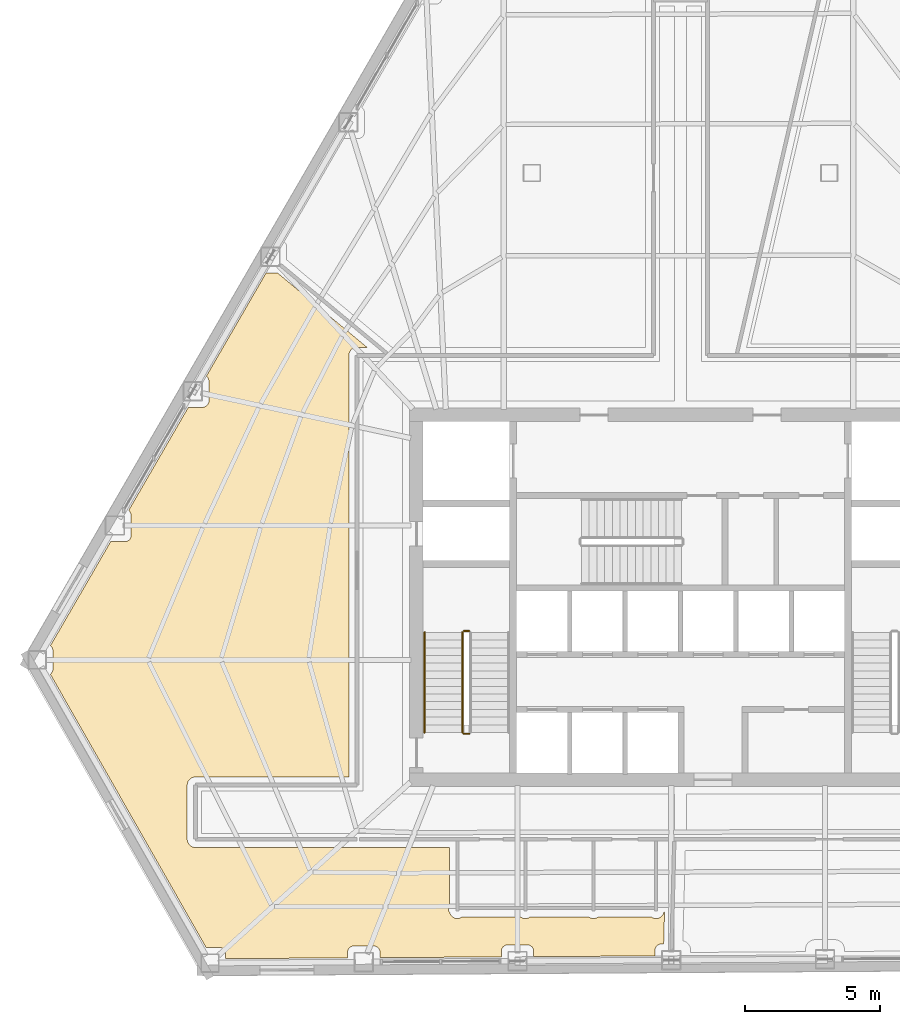
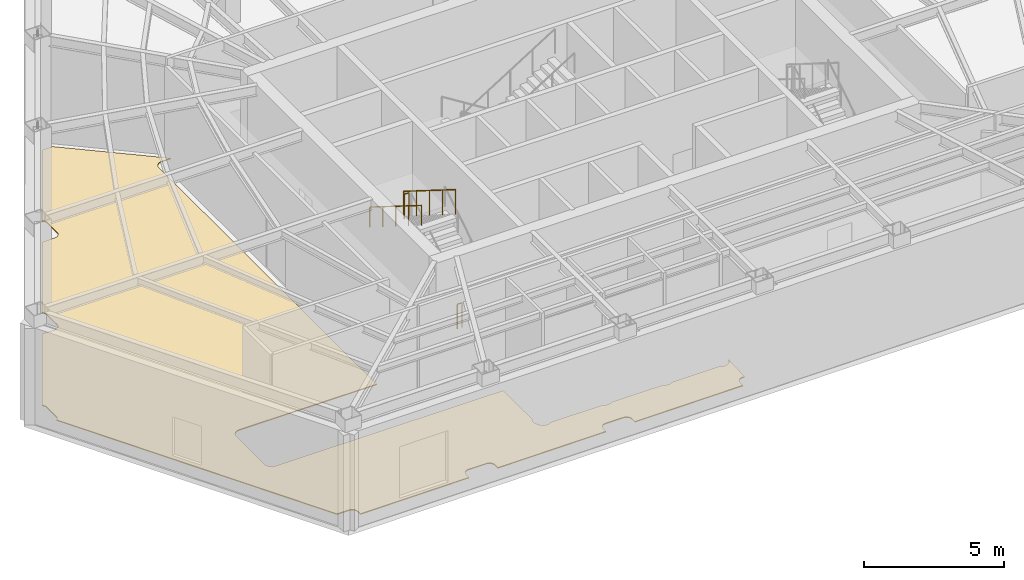
# One storey, part 12 of 14: 4 railings, 1 covering.
"""IFC4 building model written with IfcOpenShell, lengths in metres."""

from ifc_helpers import new_model, si_unit, direction, frame, origin, origin_2d, place, context, subcontext, project, spatial, polyline, circle, outline, extrude, material, layer, layer_set, type_object, element, save


model = new_model("IFC4")

# Units and contexts
model_context = context("Model", 3, precision=1e-05, world=origin(), true_north=direction((0.0, 1.0)))
body_context = subcontext(model_context, "Body", "Model", "MODEL_VIEW")
ifc_project = project(units=[si_unit("LENGTHUNIT", "METRE"), si_unit("AREAUNIT", "SQUARE_METRE"), si_unit("VOLUMEUNIT", "CUBIC_METRE"), si_unit("PLANEANGLEUNIT", "RADIAN"), si_unit("MASSUNIT", "GRAM", prefix="KILO")], contexts=[model_context])

# Site, building, storey
site_placement = place(None, origin())
site = spatial("IfcSite", under=ifc_project, at=site_placement, CompositionType="ELEMENT")
building_placement = place(site_placement, origin())
building = spatial("IfcBuilding", under=site, at=building_placement, Name="Kavelnor Concourse Tower", CompositionType="ELEMENT")
storey_placement = place(building_placement, frame((0.0, 0.0, 80.5)))
storey = spatial("IfcBuildingStorey", under=building, at=storey_placement, Name="L20", CompositionType="ELEMENT", Elevation=80.5)

# Covering
ifc_material_1 = material(Name="Honed bluestone and raised access floor finish", Category="masonry")
ifc_layer = layer(ifc_material_1, 0.0400390625, Name="Honed bluestone and raised access floor finish")
ifc_layer_set = layer_set([ifc_layer], Name="Honed bluestone and raised access floor finish")
covering_type = type_object("IfcCoveringType", Name="COV-FLOOR-STONE", PredefinedType="FLOORING", material=ifc_layer_set)
covering_placement = place(storey_placement, frame((0.0, 0.0, 0.001953125)))
element("IfcCovering", 1, at=covering_placement, inside=storey, type_object=covering_type, Name="L20 Honed Bluestone Floor Finish", PredefinedType="FLOORING", context=body_context, shape_type="SweptSolid", body=[
    extrude(outline(polyline([(14.68798828125, 13.26025390625), (14.70556640625, 13.276123046875), (14.72119140625, 13.293701171875), (14.7353515625, 13.3125), (14.74755859375, 13.332763671875), (14.757568359375, 13.35400390625), (14.765380859375, 13.376220703125), (14.771240234375, 13.399169921875), (14.774658203125, 13.42236328125), (14.775634765625, 13.440673828125), (14.775634765625, 14.13134765625), (14.774658203125, 14.149658203125), (14.771240234375, 14.1728515625), (14.765380859375, 14.19580078125), (14.757568359375, 14.218017578125), (14.74755859375, 14.2392578125), (14.7353515625, 14.259521484375), (14.72119140625, 14.2783203125), (14.70556640625, 14.2958984375), (14.68798828125, 14.311767578125), (14.685546875, 14.3134765625), (16.910400390625, 18.15869140625), (17.43798828125, 18.15869140625), (17.456298828125, 18.15966796875), (17.4794921875, 18.1630859375), (17.502197265625, 18.1689453125), (17.5244140625, 18.1767578125), (17.5458984375, 18.18701171875), (17.566162109375, 18.198974609375), (17.5849609375, 18.213134765625), (17.6025390625, 18.22900390625), (17.618408203125, 18.246337890625), (17.63232421875, 18.265380859375), (17.64453125, 18.285400390625), (17.654541015625, 18.306884765625), (17.66259765625, 18.3291015625), (17.668212890625, 18.351806640625), (17.671630859375, 18.375244140625), (17.672607421875, 18.393310546875), (17.672607421875, 19.124267578125), (17.671630859375, 19.142333984375), (17.668212890625, 19.165771484375), (17.66259765625, 19.1884765625), (17.654541015625, 19.210693359375), (17.64453125, 19.232177734375), (17.63232421875, 19.252197265625), (17.618408203125, 19.271240234375), (17.6025390625, 19.288818359375), (17.5849609375, 19.304443359375), (17.57666015625, 19.310791015625), (19.787353515625, 23.131591796875), (20.31494140625, 23.131591796875), (20.333251953125, 23.132568359375), (20.3564453125, 23.135986328125), (20.37939453125, 23.1416015625), (20.401611328125, 23.149658203125), (20.4228515625, 23.15966796875), (20.443115234375, 23.171875), (20.4619140625, 23.185791015625), (20.4794921875, 23.20166015625), (20.495361328125, 23.21923828125), (20.509521484375, 23.238037109375), (20.521484375, 23.25830078125), (20.531494140625, 23.27978515625), (20.53955078125, 23.302001953125), (20.545166015625, 23.32470703125), (20.548583984375, 23.347900390625), (20.549560546875, 23.3662109375), (20.549560546875, 24.096923828125), (20.548583984375, 24.115234375), (20.545166015625, 24.138427734375), (20.53955078125, 24.161376953125), (20.531494140625, 24.18359375), (20.521484375, 24.204833984375), (20.509521484375, 24.22509765625), (20.495361328125, 24.243896484375), (20.4794921875, 24.261474609375), (20.4619140625, 24.27734375), (20.453857421875, 24.283447265625), (22.664306640625, 28.1044921875), (23.08740234375, 28.1044921875), (26.400146484375, 25.3525390625), (26.024658203125, 25.3525390625), (26.000244140625, 25.351318359375), (25.970947265625, 25.346923828125), (25.942138671875, 25.339599609375), (25.9140625, 25.32958984375), (25.88720703125, 25.31689453125), (25.86181640625, 25.3017578125), (25.837890625, 25.283935546875), (25.81591796875, 25.26416015625), (25.7958984375, 25.2421875), (25.7783203125, 25.21826171875), (25.762939453125, 25.192626953125), (25.750244140625, 25.166015625), (25.740234375, 25.137939453125), (25.733154296875, 25.109130859375), (25.728759765625, 25.07958984375), (25.7275390625, 25.055419921875), (25.7275390625, 9.452392578125), (20.044189453125, 9.452392578125), (20.02001953125, 9.451416015625), (19.990478515625, 9.447021484375), (19.961669921875, 9.439697265625), (19.93359375, 9.4296875), (19.906982421875, 9.4169921875), (19.88134765625, 9.401611328125), (19.857421875, 9.384033203125), (19.83544921875, 9.364013671875), (19.815673828125, 9.342041015625), (19.7978515625, 9.318115234375), (19.78271484375, 9.292724609375), (19.77001953125, 9.265869140625), (19.760009765625, 9.23779296875), (19.752685546875, 9.208984375), (19.748291015625, 9.1796875), (19.7470703125, 9.155517578125), (19.7470703125, 7.14453125), (19.748291015625, 7.120361328125), (19.752685546875, 7.0908203125), (19.760009765625, 7.06201171875), (19.77001953125, 7.0341796875), (19.78271484375, 7.00732421875), (19.7978515625, 6.981689453125), (19.815673828125, 6.9580078125), (19.83544921875, 6.935791015625), (19.857421875, 6.916015625), (19.88134765625, 6.898193359375), (19.906982421875, 6.883056640625), (19.93359375, 6.870361328125), (19.961669921875, 6.8603515625), (19.990478515625, 6.85302734375), (20.02001953125, 6.8486328125), (20.044189453125, 6.847412109375), (26.035400390625, 6.847412109375), (26.059814453125, 6.8486328125), (26.080078125, 6.851806640625), (26.100341796875, 6.8486328125), (26.12451171875, 6.847412109375), (29.455078125, 6.847412109375), (29.455078125, 4.761474609375), (29.452880859375, 4.758544921875), (29.4384765625, 4.734619140625), (29.426513671875, 4.709228515625), (29.4169921875, 4.682861328125), (29.41015625, 4.65576171875), (29.406005859375, 4.6279296875), (29.40478515625, 4.60009765625), (29.406005859375, 4.572021484375), (29.41015625, 4.544189453125), (29.4169921875, 4.51708984375), (29.426513671875, 4.49072265625), (29.4384765625, 4.465576171875), (29.452880859375, 4.44140625), (29.465087890625, 4.425048828125), (29.467041015625, 4.417236328125), (29.476318359375, 4.390869140625), (29.48828125, 4.365478515625), (29.502685546875, 4.341552734375), (29.51953125, 4.319091796875), (29.538330078125, 4.29833984375), (29.55908203125, 4.279541015625), (29.58154296875, 4.2626953125), (29.60546875, 4.248291015625), (29.630859375, 4.236328125), (29.6572265625, 4.22705078125), (29.684326171875, 4.22021484375), (29.7119140625, 4.216064453125), (29.739990234375, 4.214599609375), (29.76806640625, 4.216064453125), (29.795654296875, 4.22021484375), (29.82275390625, 4.22705078125), (29.84912109375, 4.236328125), (29.87451171875, 4.248291015625), (29.8984375, 4.2626953125), (29.9208984375, 4.279541015625), (29.92138671875, 4.280029296875), (32.07861328125, 4.280029296875), (32.0791015625, 4.279541015625), (32.1015625, 4.2626953125), (32.12548828125, 4.248291015625), (32.15087890625, 4.236328125), (32.17724609375, 4.22705078125), (32.204345703125, 4.22021484375), (32.23193359375, 4.216064453125), (32.260009765625, 4.214599609375), (32.2880859375, 4.216064453125), (32.315673828125, 4.22021484375), (32.3427734375, 4.22705078125), (32.369140625, 4.236328125), (32.39453125, 4.248291015625), (32.41845703125, 4.2626953125), (32.44091796875, 4.279541015625), (32.44140625, 4.280029296875), (34.598388671875, 4.280029296875), (34.59912109375, 4.279541015625), (34.62158203125, 4.2626953125), (34.6455078125, 4.248291015625), (34.6708984375, 4.236328125), (34.697265625, 4.22705078125), (34.724365234375, 4.22021484375), (34.751953125, 4.216064453125), (34.780029296875, 4.214599609375), (34.80810546875, 4.216064453125), (34.835693359375, 4.22021484375), (34.86279296875, 4.22705078125), (34.88916015625, 4.236328125), (34.91455078125, 4.248291015625), (34.9384765625, 4.2626953125), (34.9609375, 4.279541015625), (34.96142578125, 4.280029296875), (36.91845703125, 4.280029296875), (36.9189453125, 4.279541015625), (36.94140625, 4.2626953125), (36.965576171875, 4.248291015625), (36.99072265625, 4.236328125), (37.01708984375, 4.22705078125), (37.044189453125, 4.22021484375), (37.072021484375, 4.216064453125), (37.10009765625, 4.214599609375), (37.1279296875, 4.216064453125), (37.15576171875, 4.22021484375), (37.182861328125, 4.22705078125), (37.209228515625, 4.236328125), (37.234619140625, 4.248291015625), (37.258544921875, 4.2626953125), (37.281005859375, 4.279541015625), (37.3017578125, 4.29833984375), (37.320556640625, 4.319091796875), (37.337158203125, 4.341552734375), (37.3515625, 4.365478515625), (37.363525390625, 4.390869140625), (37.373046875, 4.417236328125), (37.375, 4.425048828125), (37.38720703125, 4.44140625), (37.401611328125, 4.465576171875), (37.407958984375, 4.47900390625), (37.377197265625, 3.27734375), (37.29150390625, 3.27734375), (37.2734375, 3.276611328125), (37.25, 3.27294921875), (37.227294921875, 3.267333984375), (37.205078125, 3.259521484375), (37.18359375, 3.249267578125), (37.16357421875, 3.2373046875), (37.14453125, 3.22314453125), (37.127197265625, 3.207275390625), (37.111328125, 3.189697265625), (37.09716796875, 3.1708984375), (37.085205078125, 3.150634765625), (37.074951171875, 3.12939453125), (37.067138671875, 3.107177734375), (37.061279296875, 3.084228515625), (37.057861328125, 3.06103515625), (37.056884765625, 3.042724609375), (37.056884765625, 2.83349609375), (32.568115234375, 2.8046875), (32.568115234375, 3.006103515625), (32.567138671875, 3.0244140625), (32.563720703125, 3.047607421875), (32.55810546875, 3.070556640625), (32.550048828125, 3.0927734375), (32.5400390625, 3.114013671875), (32.52783203125, 3.13427734375), (32.513916015625, 3.1533203125), (32.498046875, 3.170654296875), (32.48046875, 3.1865234375), (32.461669921875, 3.20068359375), (32.44140625, 3.212646484375), (32.419921875, 3.222900390625), (32.397705078125, 3.230712890625), (32.375, 3.236328125), (32.351806640625, 3.239990234375), (32.33349609375, 3.24072265625), (31.602783203125, 3.24072265625), (31.58447265625, 3.239990234375), (31.561279296875, 3.236328125), (31.538330078125, 3.230712890625), (31.51611328125, 3.222900390625), (31.494873046875, 3.212646484375), (31.474609375, 3.20068359375), (31.455810546875, 3.1865234375), (31.438232421875, 3.170654296875), (31.42236328125, 3.1533203125), (31.408203125, 3.13427734375), (31.396240234375, 3.114013671875), (31.385986328125, 3.0927734375), (31.378173828125, 3.070556640625), (31.37255859375, 3.047607421875), (31.368896484375, 3.0244140625), (31.3681640625, 3.006103515625), (31.3681640625, 2.797119140625), (26.879150390625, 2.768310546875), (26.879150390625, 2.9697265625), (26.878173828125, 2.98779296875), (26.874755859375, 3.01123046875), (26.868896484375, 3.033935546875), (26.861083984375, 3.05615234375), (26.85107421875, 3.07763671875), (26.8388671875, 3.097900390625), (26.82470703125, 3.11669921875), (26.80908203125, 3.13427734375), (26.79150390625, 3.14990234375), (26.772705078125, 3.1640625), (26.75244140625, 3.17626953125), (26.73095703125, 3.186279296875), (26.708740234375, 3.194091796875), (26.68603515625, 3.199951171875), (26.66259765625, 3.203369140625), (26.64453125, 3.204345703125), (25.913818359375, 3.204345703125), (25.8955078125, 3.203369140625), (25.872314453125, 3.199951171875), (25.849365234375, 3.194091796875), (25.8271484375, 3.186279296875), (25.805908203125, 3.17626953125), (25.78564453125, 3.1640625), (25.7666015625, 3.14990234375), (25.749267578125, 3.13427734375), (25.7333984375, 3.11669921875), (25.71923828125, 3.097900390625), (25.707275390625, 3.07763671875), (25.697021484375, 3.05615234375), (25.689208984375, 3.033935546875), (25.68359375, 3.01123046875), (25.679931640625, 2.98779296875), (25.67919921875, 2.9697265625), (25.67919921875, 2.760498046875), (21.170166015625, 2.7314453125), (21.170166015625, 2.9130859375), (21.169189453125, 2.931396484375), (21.165771484375, 2.95458984375), (21.16015625, 2.9775390625), (21.152099609375, 2.999755859375), (21.14208984375, 3.02099609375), (21.1298828125, 3.041259765625), (21.115966796875, 3.060302734375), (21.10009765625, 3.07763671875), (21.08251953125, 3.093505859375), (21.063720703125, 3.107666015625), (21.04345703125, 3.11962890625), (21.022216796875, 3.1298828125), (21.0, 3.1376953125), (20.97705078125, 3.143310546875), (20.953857421875, 3.14697265625), (20.935546875, 3.147705078125), (20.443603515625, 3.147705078125), (14.681884765625, 13.255859375), (14.68798828125, 13.26025390625)])), origin(), (0.0, 0.0, 1.0), 0.0400390625),
])

# Railings
ifc_material_2 = material(Name="Steel Grade 350", Category="steel")
railing_type_1 = type_object("IfcRailingType", Name="RLG-GUARD-1100", PredefinedType="GUARDRAIL", material=ifc_material_2)
railing_1_placement = place(storey_placement, frame((30.179931640625, 14.85498046875, 2.5)))
element("IfcRailing", 2, at=railing_1_placement, inside=storey, type_object=railing_type_1, Name="L20 ST1 stair guard 2", PredefinedType="GUARDRAIL", context=body_context, shape_type="SweptSolid", body=[
    extrude(circle(Radius=0.02392578125, at=origin_2d()), frame((0.0, 0.0, 1.076171875), z_axis=(-1.0, 0.0, 0.0), x_axis=(0.0, -1.0, 0.0)), (0.0, 0.0, 1.0), 0.199951171875),
    extrude(circle(Radius=0.02099609375, at=origin_2d()), origin(), (0.0, 0.0, 1.0), 1.052001953125),
    extrude(circle(Radius=0.02099609375, at=origin_2d()), frame((-0.199951171875, 0.0, 0.0)), (0.0, 0.0, 1.0), 1.052001953125),
])
railing_2_placement = place(storey_placement, frame((29.929931640625, 14.804931640625, 2.678466796875)))
element("IfcRailing", 3, at=railing_2_placement, inside=storey, type_object=railing_type_1, Name="L20 ST1 stair guard 3", PredefinedType="GUARDRAIL", context=body_context, shape_type="SweptSolid", body=[
    extrude(circle(Radius=0.02392578125, at=origin_2d()), frame((0.0, 0.0, 1.076171875), z_axis=(0.0, -0.847379717373, 0.530987395881), x_axis=(1.0, 0.0, 0.0)), (0.0, 0.0, 1.0), 4.3720703125),
    extrude(circle(Radius=0.02099609375, at=origin_2d()), origin(), (0.0, 0.0, 1.0), 1.052001953125),
    extrude(circle(Radius=0.02099609375, at=origin_2d()), frame((0.0, -0.92626953125, 0.580322265625)), (0.0, 0.0, 1.0), 1.052001953125),
    extrude(circle(Radius=0.02099609375, at=origin_2d()), frame((0.0, -1.8525390625, 1.16064453125)), (0.0, 0.0, 1.0), 1.052001953125),
    extrude(circle(Radius=0.02099609375, at=origin_2d()), frame((0.0, -2.778564453125, 1.7412109375)), (0.0, 0.0, 1.0), 1.052001953125),
    extrude(circle(Radius=0.02099609375, at=origin_2d()), frame((0.0, -3.704833984375, 2.321533203125)), (0.0, 0.0, 1.0), 1.052001953125),
])
railing_3_placement = place(storey_placement, frame((30.179931640625, 11.050048828125, 0.0)))
element("IfcRailing", 4, at=railing_3_placement, inside=storey, type_object=railing_type_1, Name="L20 ST1 stair guard 4", PredefinedType="GUARDRAIL", context=body_context, shape_type="SweptSolid", body=[
    extrude(circle(Radius=0.02392578125, at=origin_2d()), frame((0.0, 0.0, 1.076171875), z_axis=(-1.0, 0.0, 0.0), x_axis=(0.0, -1.0, 0.0)), (0.0, 0.0, 1.0), 0.199951171875),
    extrude(circle(Radius=0.02099609375, at=origin_2d()), origin(), (0.0, 0.0, 1.0), 1.052001953125),
    extrude(circle(Radius=0.02099609375, at=origin_2d()), frame((-0.199951171875, 0.0, 0.0)), (0.0, 0.0, 1.0), 1.052001953125),
])
railing_type_2 = type_object("IfcRailingType", Name="RLG-HANDRAIL-900", PredefinedType="HANDRAIL", material=ifc_material_2)
railing_4_placement = place(storey_placement, frame((28.530029296875, 14.804931640625, 2.678466796875)))
element("IfcRailing", 5, at=railing_4_placement, inside=storey, type_object=railing_type_2, Name="L20 ST1 stair handrail 2", PredefinedType="HANDRAIL", context=body_context, shape_type="SweptSolid", body=[
    extrude(circle(Radius=0.02392578125, at=origin_2d()), frame((0.0, 0.0, 0.8759765625), z_axis=(0.0, -0.847379717373, 0.530987395881), x_axis=(1.0, 0.0, 0.0)), (0.0, 0.0, 1.0), 4.3720703125),
    extrude(circle(Radius=0.02099609375, at=origin_2d()), origin(), (0.0, 0.0, 1.0), 0.851806640625),
    extrude(circle(Radius=0.02099609375, at=origin_2d()), frame((0.0, -0.92626953125, 0.580322265625)), (0.0, 0.0, 1.0), 0.851806640625),
    extrude(circle(Radius=0.02099609375, at=origin_2d()), frame((0.0, -1.8525390625, 1.16064453125)), (0.0, 0.0, 1.0), 0.851806640625),
    extrude(circle(Radius=0.02099609375, at=origin_2d()), frame((0.0, -2.778564453125, 1.7412109375)), (0.0, 0.0, 1.0), 0.851806640625),
    extrude(circle(Radius=0.02099609375, at=origin_2d()), frame((0.0, -3.704833984375, 2.321533203125)), (0.0, 0.0, 1.0), 0.851806640625),
])

save(model, "model.ifc")
